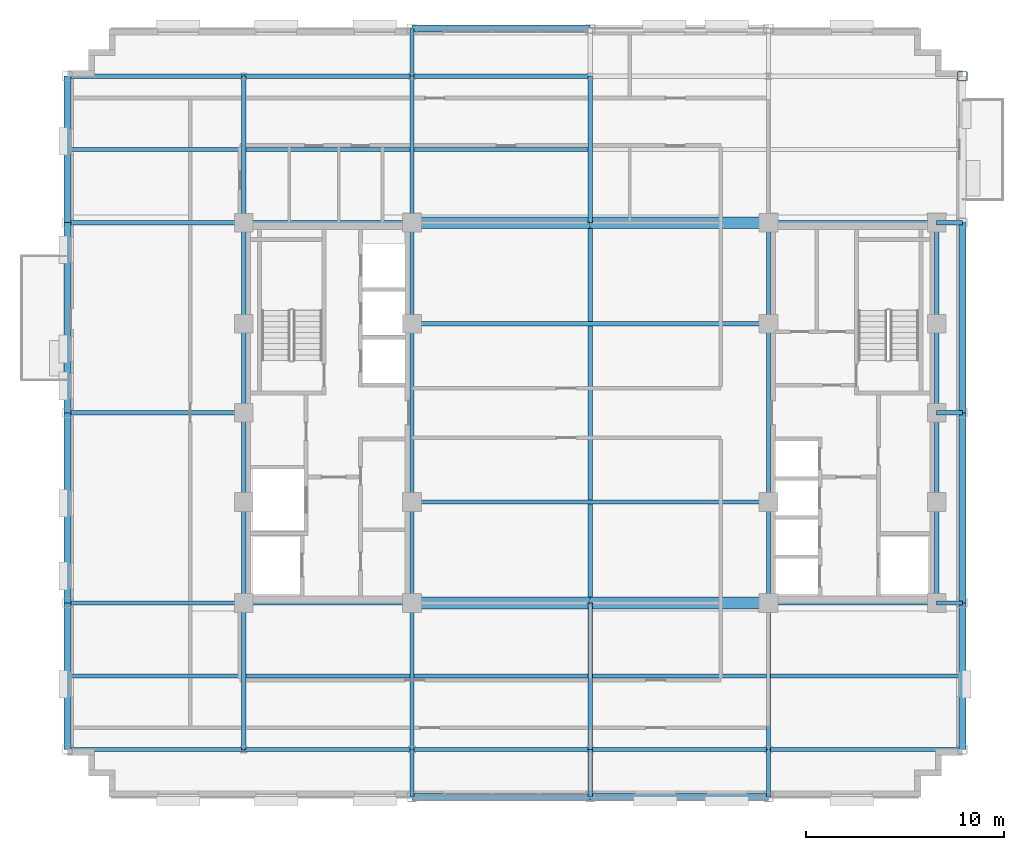
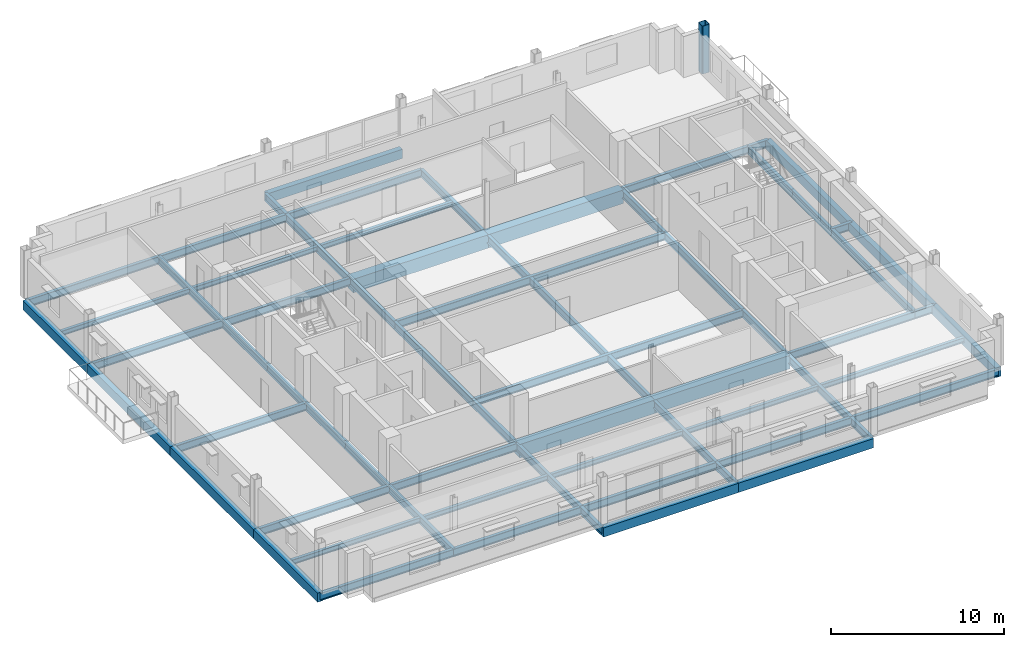
# One storey, part 4 of 15: 68 beams, 1 column.
"""IFC4 building model written with IfcOpenShell, lengths in metres."""

from ifc_helpers import new_model, si_unit, direction, frame, origin, origin_2d, place, context, subcontext, project, spatial, rectangle, hollow_rectangle, i_section, extrude, material, material_profile, profile_set, type_object, element, save


model = new_model("IFC4")

# Units and contexts
model_context = context("Model", 3, precision=1e-05, world=origin(), true_north=direction((0.0, 1.0)))
body_context = subcontext(model_context, "Body", "Model", "MODEL_VIEW")
ifc_project = project(units=[si_unit("LENGTHUNIT", "METRE"), si_unit("AREAUNIT", "SQUARE_METRE"), si_unit("VOLUMEUNIT", "CUBIC_METRE"), si_unit("PLANEANGLEUNIT", "RADIAN"), si_unit("MASSUNIT", "GRAM", prefix="KILO")], contexts=[model_context])

# Site, building, storey
site_placement = place(None, origin())
site = spatial("IfcSite", under=ifc_project, at=site_placement, CompositionType="ELEMENT")
building_placement = place(site_placement, origin())
building = spatial("IfcBuilding", under=site, at=building_placement, Name="Nuvemarco Arch Tower", CompositionType="ELEMENT")
storey_placement = place(building_placement, frame((0.0, 0.0, 223.75)))
storey = spatial("IfcBuildingStorey", under=building, at=storey_placement, Name="L59", CompositionType="ELEMENT", Elevation=223.75)

# Column
ifc_material_1 = material(Name="Steel S355", Category="steel")
ifc_material_profile_1 = material_profile(ifc_material_1, hollow_rectangle(XDim=0.5, YDim=0.5, WallThickness=0.031982421875, InnerFilletRadius=0.031982421875, OuterFilletRadius=0.06396484375, at=origin_2d()), Name="SHS500x500x32")
ifc_profile_set_1 = profile_set([ifc_material_profile_1], Name="Steel S355")
column_type = type_object("IfcColumnType", Name="COL-EXO-500", PredefinedType="COLUMN", material=ifc_profile_set_1)
column_placement = place(storey_placement, frame((18.800048828125, 17.0, 0.0), z_axis=(0.0, 0.0, 1.0), x_axis=(1.0, 0.0, 0.0)))
element("IfcColumn", 1, at=column_placement, inside=storey, type_object=column_type, Name="L59 column CX_+18.8_+17.0", PredefinedType="COLUMN", context=body_context, shape_type="SweptSolid", body=[
    extrude(hollow_rectangle(XDim=0.5, YDim=0.5, WallThickness=0.031982421875, InnerFilletRadius=0.031982421875, OuterFilletRadius=0.06396484375, at=origin_2d()), origin(), (0.0, 0.0, 1.0), 3.3701171875),
])

# Beams
ifc_material_2 = material(Name="Concrete C60/75", Category="concrete")
ifc_material_profile_2 = material_profile(ifc_material_2, rectangle(XDim=0.60009765625, YDim=0.949951171875, at=origin_2d()), Name="RC-BM-600x950")
ifc_profile_set_2 = profile_set([ifc_material_profile_2], Name="Concrete C60/75")
beam_type_1 = type_object("IfcBeamType", Name="BM-COUP-RC", PredefinedType="LINTEL", material=ifc_profile_set_2)
for number, where, z_axis, x_axis, name in (
    (2, (-9.0, -9.60009765625, -0.7548828125), (1.0, 0.0, 0.0), (0.0, 1.0, 0.0), "L59 structural beam BGEW_L59_0_-9.6_-9.0"),
    (3, (0.0, -9.60009765625, -0.7548828125), (1.0, 0.0, 0.0), (0.0, 1.0, 0.0), "L59 structural beam BGEW_L59_0_-9.6_+0.0"),
    (4, (-9.0, 9.60009765625, -0.7548828125), (1.0, 0.0, 0.0), (0.0, 1.0, 0.0), "L59 structural beam BGEW_L59_0_+9.6_-9.0"),
    (5, (0.0, 9.60009765625, -0.7548828125), (1.0, 0.0, 0.0), (0.0, 1.0, 0.0), "L59 structural beam BGEW_L59_0_+9.6_+0.0"),
):
    element("IfcBeam", number, at=place(storey_placement, frame(where, z_axis=z_axis, x_axis=x_axis)), inside=storey, type_object=beam_type_1, Name=name, PredefinedType="LINTEL", context=body_context, shape_type="SweptSolid", body=[
        extrude(rectangle(XDim=0.60009765625, YDim=0.949951171875, at=origin_2d()), origin(), (0.0, 0.0, 1.0), 9.0),
    ])
ifc_material_profile_3 = material_profile(ifc_material_1, i_section(OverallWidth=0.2109375, OverallDepth=0.5390625, WebThickness=0.01171875, FlangeThickness=0.018798828125, FilletRadius=0.01611328125, at=origin_2d()), Name="W530x109")
ifc_profile_set_3 = profile_set([ifc_material_profile_3], Name="Steel S355")
beam_type_2 = type_object("IfcBeamType", Name="BM-GIRD-530", PredefinedType="BEAM", material=ifc_profile_set_3)
beam_1_placement = place(storey_placement, frame((-17.5, -17.0, -0.549560546875), z_axis=(0.0, 1.0, 0.0), x_axis=(-1.0, 0.0, 0.0)))
element("IfcBeam", 6, at=beam_1_placement, inside=storey, type_object=beam_type_2, Name="L59 structural beam BGNS_L59_0_-17.5_-17.0", PredefinedType="BEAM", context=body_context, shape_type="SweptSolid", body=[
    extrude(i_section(OverallWidth=0.2109375, OverallDepth=0.5390625, WebThickness=0.01171875, FlangeThickness=0.018798828125, FilletRadius=0.01611328125, at=origin_2d()), origin(), (0.0, 0.0, 1.0), 7.39990234375),
])
beam_2_placement = place(storey_placement, frame((-17.5, -9.60009765625, -0.549560546875), z_axis=(0.0, 1.0, 0.0), x_axis=(-1.0, 0.0, 0.0)))
element("IfcBeam", 7, at=beam_2_placement, inside=storey, type_object=beam_type_2, Name="L59 structural beam BGNS_L59_0_-17.5_-9.6", PredefinedType="BEAM", context=body_context, shape_type="SweptSolid", body=[
    extrude(i_section(OverallWidth=0.2109375, OverallDepth=0.5390625, WebThickness=0.01171875, FlangeThickness=0.018798828125, FilletRadius=0.01611328125, at=origin_2d()), origin(), (0.0, 0.0, 1.0), 5.10009765625),
])
for number, where, z_axis, x_axis, name in (
    (8, (-17.5, -4.5, -0.549560546875), (0.0, 1.0, 0.0), (-1.0, 0.0, 0.0), "L59 structural beam BGNS_L59_0_-17.5_-4.5"),
    (9, (-17.5, 0.0, -0.549560546875), (0.0, 1.0, 0.0), (-1.0, 0.0, 0.0), "L59 structural beam BGNS_L59_0_-17.5_+0.0"),
):
    element("IfcBeam", number, at=place(storey_placement, frame(where, z_axis=z_axis, x_axis=x_axis)), inside=storey, type_object=beam_type_2, Name=name, PredefinedType="BEAM", context=body_context, shape_type="SweptSolid", body=[
        extrude(i_section(OverallWidth=0.2109375, OverallDepth=0.5390625, WebThickness=0.01171875, FlangeThickness=0.018798828125, FilletRadius=0.01611328125, at=origin_2d()), origin(), (0.0, 0.0, 1.0), 4.5),
    ])
beam_3_placement = place(storey_placement, frame((-17.5, 4.5, -0.549560546875), z_axis=(0.0, 1.0, 0.0), x_axis=(-1.0, 0.0, 0.0)))
element("IfcBeam", 10, at=beam_3_placement, inside=storey, type_object=beam_type_2, Name="L59 structural beam BGNS_L59_0_-17.5_+4.5", PredefinedType="BEAM", context=body_context, shape_type="SweptSolid", body=[
    extrude(i_section(OverallWidth=0.2109375, OverallDepth=0.5390625, WebThickness=0.01171875, FlangeThickness=0.018798828125, FilletRadius=0.01611328125, at=origin_2d()), origin(), (0.0, 0.0, 1.0), 5.10009765625),
])
beam_4_placement = place(storey_placement, frame((-17.5, 9.60009765625, -0.549560546875), z_axis=(0.0, 1.0, 0.0), x_axis=(-1.0, 0.0, 0.0)))
element("IfcBeam", 11, at=beam_4_placement, inside=storey, type_object=beam_type_2, Name="L59 structural beam BGNS_L59_0_-17.5_+9.6", PredefinedType="BEAM", context=body_context, shape_type="SweptSolid", body=[
    extrude(i_section(OverallWidth=0.2109375, OverallDepth=0.5390625, WebThickness=0.01171875, FlangeThickness=0.018798828125, FilletRadius=0.01611328125, at=origin_2d()), origin(), (0.0, 0.0, 1.0), 7.39990234375),
])
beam_5_placement = place(storey_placement, frame((-9.0, -19.39990234375, -0.549560546875), z_axis=(0.0, 1.0, 0.0), x_axis=(-1.0, 0.0, 0.0)))
element("IfcBeam", 12, at=beam_5_placement, inside=storey, type_object=beam_type_2, Name="L59 structural beam BGNS_L59_0_-9.0_-19.4", PredefinedType="BEAM", context=body_context, shape_type="SweptSolid", body=[
    extrude(i_section(OverallWidth=0.2109375, OverallDepth=0.5390625, WebThickness=0.01171875, FlangeThickness=0.018798828125, FilletRadius=0.01611328125, at=origin_2d()), origin(), (0.0, 0.0, 1.0), 2.39990234375),
])
beam_6_placement = place(storey_placement, frame((-9.0, -17.0, -0.549560546875), z_axis=(0.0, 1.0, 0.0), x_axis=(-1.0, 0.0, 0.0)))
element("IfcBeam", 13, at=beam_6_placement, inside=storey, type_object=beam_type_2, Name="L59 structural beam BGNS_L59_0_-9.0_-17.0", PredefinedType="BEAM", context=body_context, shape_type="SweptSolid", body=[
    extrude(i_section(OverallWidth=0.2109375, OverallDepth=0.5390625, WebThickness=0.01171875, FlangeThickness=0.018798828125, FilletRadius=0.01611328125, at=origin_2d()), origin(), (0.0, 0.0, 1.0), 7.39990234375),
])
beam_7_placement = place(storey_placement, frame((-9.0, -9.60009765625, -0.549560546875), z_axis=(0.0, 1.0, 0.0), x_axis=(-1.0, 0.0, 0.0)))
element("IfcBeam", 14, at=beam_7_placement, inside=storey, type_object=beam_type_2, Name="L59 structural beam BGNS_L59_0_-9.0_-9.6", PredefinedType="BEAM", context=body_context, shape_type="SweptSolid", body=[
    extrude(i_section(OverallWidth=0.2109375, OverallDepth=0.5390625, WebThickness=0.01171875, FlangeThickness=0.018798828125, FilletRadius=0.01611328125, at=origin_2d()), origin(), (0.0, 0.0, 1.0), 5.10009765625),
])
beam_8_placement = place(storey_placement, frame((-9.0, -4.5, -0.549560546875), z_axis=(0.0, 1.0, 0.0), x_axis=(-1.0, 0.0, 0.0)))
element("IfcBeam", 15, at=beam_8_placement, inside=storey, type_object=beam_type_2, Name="L59 structural beam BGNS_L59_0_-9.0_-4.5", PredefinedType="BEAM", context=body_context, shape_type="SweptSolid", body=[
    extrude(i_section(OverallWidth=0.2109375, OverallDepth=0.5390625, WebThickness=0.01171875, FlangeThickness=0.018798828125, FilletRadius=0.01611328125, at=origin_2d()), origin(), (0.0, 0.0, 1.0), 9.0),
])
beam_9_placement = place(storey_placement, frame((-9.0, 4.5, -0.549560546875), z_axis=(0.0, 1.0, 0.0), x_axis=(-1.0, 0.0, 0.0)))
element("IfcBeam", 16, at=beam_9_placement, inside=storey, type_object=beam_type_2, Name="L59 structural beam BGNS_L59_0_-9.0_+4.5", PredefinedType="BEAM", context=body_context, shape_type="SweptSolid", body=[
    extrude(i_section(OverallWidth=0.2109375, OverallDepth=0.5390625, WebThickness=0.01171875, FlangeThickness=0.018798828125, FilletRadius=0.01611328125, at=origin_2d()), origin(), (0.0, 0.0, 1.0), 5.10009765625),
])
beam_10_placement = place(storey_placement, frame((-9.0, 9.60009765625, -0.549560546875), z_axis=(0.0, 1.0, 0.0), x_axis=(-1.0, 0.0, 0.0)))
element("IfcBeam", 17, at=beam_10_placement, inside=storey, type_object=beam_type_2, Name="L59 structural beam BGNS_L59_0_-9.0_+9.6", PredefinedType="BEAM", context=body_context, shape_type="SweptSolid", body=[
    extrude(i_section(OverallWidth=0.2109375, OverallDepth=0.5390625, WebThickness=0.01171875, FlangeThickness=0.018798828125, FilletRadius=0.01611328125, at=origin_2d()), origin(), (0.0, 0.0, 1.0), 7.39990234375),
])
for number, where, z_axis, x_axis, name in (
    (18, (-9.0, 17.0, -0.549560546875), (0.0, 1.0, 0.0), (-1.0, 0.0, 0.0), "L59 structural beam BGNS_L59_0_-9.0_+17.0"),
    (19, (0.0, -19.39990234375, -0.549560546875), (0.0, 1.0, 0.0), (-1.0, 0.0, 0.0), "L59 structural beam BGNS_L59_0_+0.0_-19.4"),
):
    element("IfcBeam", number, at=place(storey_placement, frame(where, z_axis=z_axis, x_axis=x_axis)), inside=storey, type_object=beam_type_2, Name=name, PredefinedType="BEAM", context=body_context, shape_type="SweptSolid", body=[
        extrude(i_section(OverallWidth=0.2109375, OverallDepth=0.5390625, WebThickness=0.01171875, FlangeThickness=0.018798828125, FilletRadius=0.01611328125, at=origin_2d()), origin(), (0.0, 0.0, 1.0), 2.39990234375),
    ])
beam_11_placement = place(storey_placement, frame((0.0, -17.0, -0.549560546875), z_axis=(0.0, 1.0, 0.0), x_axis=(-1.0, 0.0, 0.0)))
element("IfcBeam", 20, at=beam_11_placement, inside=storey, type_object=beam_type_2, Name="L59 structural beam BGNS_L59_0_+0.0_-17.0", PredefinedType="BEAM", context=body_context, shape_type="SweptSolid", body=[
    extrude(i_section(OverallWidth=0.2109375, OverallDepth=0.5390625, WebThickness=0.01171875, FlangeThickness=0.018798828125, FilletRadius=0.01611328125, at=origin_2d()), origin(), (0.0, 0.0, 1.0), 7.39990234375),
])
beam_12_placement = place(storey_placement, frame((0.0, -9.60009765625, -0.549560546875), z_axis=(0.0, 1.0, 0.0), x_axis=(-1.0, 0.0, 0.0)))
element("IfcBeam", 21, at=beam_12_placement, inside=storey, type_object=beam_type_2, Name="L59 structural beam BGNS_L59_0_+0.0_-9.6", PredefinedType="BEAM", context=body_context, shape_type="SweptSolid", body=[
    extrude(i_section(OverallWidth=0.2109375, OverallDepth=0.5390625, WebThickness=0.01171875, FlangeThickness=0.018798828125, FilletRadius=0.01611328125, at=origin_2d()), origin(), (0.0, 0.0, 1.0), 19.2001953125),
])
beam_13_placement = place(storey_placement, frame((0.0, 9.60009765625, -0.549560546875), z_axis=(0.0, 1.0, 0.0), x_axis=(-1.0, 0.0, 0.0)))
element("IfcBeam", 22, at=beam_13_placement, inside=storey, type_object=beam_type_2, Name="L59 structural beam BGNS_L59_0_+0.0_+9.6", PredefinedType="BEAM", context=body_context, shape_type="SweptSolid", body=[
    extrude(i_section(OverallWidth=0.2109375, OverallDepth=0.5390625, WebThickness=0.01171875, FlangeThickness=0.018798828125, FilletRadius=0.01611328125, at=origin_2d()), origin(), (0.0, 0.0, 1.0), 7.39990234375),
])
beam_14_placement = place(storey_placement, frame((9.0, -19.39990234375, -0.549560546875), z_axis=(0.0, 1.0, 0.0), x_axis=(-1.0, 0.0, 0.0)))
element("IfcBeam", 23, at=beam_14_placement, inside=storey, type_object=beam_type_2, Name="L59 structural beam BGNS_L59_0_+9.0_-19.4", PredefinedType="BEAM", context=body_context, shape_type="SweptSolid", body=[
    extrude(i_section(OverallWidth=0.2109375, OverallDepth=0.5390625, WebThickness=0.01171875, FlangeThickness=0.018798828125, FilletRadius=0.01611328125, at=origin_2d()), origin(), (0.0, 0.0, 1.0), 2.39990234375),
])
beam_15_placement = place(storey_placement, frame((9.0, -17.0, -0.549560546875), z_axis=(0.0, 1.0, 0.0), x_axis=(-1.0, 0.0, 0.0)))
element("IfcBeam", 24, at=beam_15_placement, inside=storey, type_object=beam_type_2, Name="L59 structural beam BGNS_L59_0_+9.0_-17.0", PredefinedType="BEAM", context=body_context, shape_type="SweptSolid", body=[
    extrude(i_section(OverallWidth=0.2109375, OverallDepth=0.5390625, WebThickness=0.01171875, FlangeThickness=0.018798828125, FilletRadius=0.01611328125, at=origin_2d()), origin(), (0.0, 0.0, 1.0), 7.39990234375),
])
beam_16_placement = place(storey_placement, frame((9.0, -9.60009765625, -0.549560546875), z_axis=(0.0, 1.0, 0.0), x_axis=(-1.0, 0.0, 0.0)))
element("IfcBeam", 25, at=beam_16_placement, inside=storey, type_object=beam_type_2, Name="L59 structural beam BGNS_L59_0_+9.0_-9.6", PredefinedType="BEAM", context=body_context, shape_type="SweptSolid", body=[
    extrude(i_section(OverallWidth=0.2109375, OverallDepth=0.5390625, WebThickness=0.01171875, FlangeThickness=0.018798828125, FilletRadius=0.01611328125, at=origin_2d()), origin(), (0.0, 0.0, 1.0), 5.10009765625),
])
beam_17_placement = place(storey_placement, frame((9.0, -4.5, -0.549560546875), z_axis=(0.0, 1.0, 0.0), x_axis=(-1.0, 0.0, 0.0)))
element("IfcBeam", 26, at=beam_17_placement, inside=storey, type_object=beam_type_2, Name="L59 structural beam BGNS_L59_0_+9.0_-4.5", PredefinedType="BEAM", context=body_context, shape_type="SweptSolid", body=[
    extrude(i_section(OverallWidth=0.2109375, OverallDepth=0.5390625, WebThickness=0.01171875, FlangeThickness=0.018798828125, FilletRadius=0.01611328125, at=origin_2d()), origin(), (0.0, 0.0, 1.0), 9.0),
])
for number, where, z_axis, x_axis, name in (
    (27, (9.0, 4.5, -0.549560546875), (0.0, 1.0, 0.0), (-1.0, 0.0, 0.0), "L59 structural beam BGNS_L59_0_+9.0_+4.5"),
    (28, (17.5, -9.60009765625, -0.549560546875), (0.0, 1.0, 0.0), (-1.0, 0.0, 0.0), "L59 structural beam BGNS_L59_0_+17.5_-9.6"),
):
    element("IfcBeam", number, at=place(storey_placement, frame(where, z_axis=z_axis, x_axis=x_axis)), inside=storey, type_object=beam_type_2, Name=name, PredefinedType="BEAM", context=body_context, shape_type="SweptSolid", body=[
        extrude(i_section(OverallWidth=0.2109375, OverallDepth=0.5390625, WebThickness=0.01171875, FlangeThickness=0.018798828125, FilletRadius=0.01611328125, at=origin_2d()), origin(), (0.0, 0.0, 1.0), 5.10009765625),
    ])
for number, where, z_axis, x_axis, name in (
    (29, (17.5, -4.5, -0.549560546875), (0.0, 1.0, 0.0), (-1.0, 0.0, 0.0), "L59 structural beam BGNS_L59_0_+17.5_-4.5"),
    (30, (17.5, 0.0, -0.549560546875), (0.0, 1.0, 0.0), (-1.0, 0.0, 0.0), "L59 structural beam BGNS_L59_0_+17.5_+0.0"),
):
    element("IfcBeam", number, at=place(storey_placement, frame(where, z_axis=z_axis, x_axis=x_axis)), inside=storey, type_object=beam_type_2, Name=name, PredefinedType="BEAM", context=body_context, shape_type="SweptSolid", body=[
        extrude(i_section(OverallWidth=0.2109375, OverallDepth=0.5390625, WebThickness=0.01171875, FlangeThickness=0.018798828125, FilletRadius=0.01611328125, at=origin_2d()), origin(), (0.0, 0.0, 1.0), 4.5),
    ])
beam_18_placement = place(storey_placement, frame((17.5, 4.5, -0.549560546875), z_axis=(0.0, 1.0, 0.0), x_axis=(-1.0, 0.0, 0.0)))
element("IfcBeam", 31, at=beam_18_placement, inside=storey, type_object=beam_type_2, Name="L59 structural beam BGNS_L59_0_+17.5_+4.5", PredefinedType="BEAM", context=body_context, shape_type="SweptSolid", body=[
    extrude(i_section(OverallWidth=0.2109375, OverallDepth=0.5390625, WebThickness=0.01171875, FlangeThickness=0.018798828125, FilletRadius=0.01611328125, at=origin_2d()), origin(), (0.0, 0.0, 1.0), 5.10009765625),
])
beam_19_placement = place(storey_placement, frame((-26.39990234375, -17.0, -0.549560546875), z_axis=(1.0, 0.0, 0.0), x_axis=(0.0, 1.0, 0.0)))
element("IfcBeam", 32, at=beam_19_placement, inside=storey, type_object=beam_type_2, Name="L59 structural beam BGEW_L59_0_-17.0_-26.4", PredefinedType="BEAM", context=body_context, shape_type="SweptSolid", body=[
    extrude(i_section(OverallWidth=0.2109375, OverallDepth=0.5390625, WebThickness=0.01171875, FlangeThickness=0.018798828125, FilletRadius=0.01611328125, at=origin_2d()), origin(), (0.0, 0.0, 1.0), 8.89990234375),
])
beam_20_placement = place(storey_placement, frame((-17.5, -17.0, -0.549560546875), z_axis=(1.0, 0.0, 0.0), x_axis=(0.0, 1.0, 0.0)))
element("IfcBeam", 33, at=beam_20_placement, inside=storey, type_object=beam_type_2, Name="L59 structural beam BGEW_L59_0_-17.0_-17.5", PredefinedType="BEAM", context=body_context, shape_type="SweptSolid", body=[
    extrude(i_section(OverallWidth=0.2109375, OverallDepth=0.5390625, WebThickness=0.01171875, FlangeThickness=0.018798828125, FilletRadius=0.01611328125, at=origin_2d()), origin(), (0.0, 0.0, 1.0), 8.5),
])
for number, where, z_axis, x_axis, name in (
    (34, (-9.0, -17.0, -0.549560546875), (1.0, 0.0, 0.0), (0.0, 1.0, 0.0), "L59 structural beam BGEW_L59_0_-17.0_-9.0"),
    (35, (0.0, -17.0, -0.549560546875), (1.0, 0.0, 0.0), (0.0, 1.0, 0.0), "L59 structural beam BGEW_L59_0_-17.0_+0.0"),
):
    element("IfcBeam", number, at=place(storey_placement, frame(where, z_axis=z_axis, x_axis=x_axis)), inside=storey, type_object=beam_type_2, Name=name, PredefinedType="BEAM", context=body_context, shape_type="SweptSolid", body=[
        extrude(i_section(OverallWidth=0.2109375, OverallDepth=0.5390625, WebThickness=0.01171875, FlangeThickness=0.018798828125, FilletRadius=0.01611328125, at=origin_2d()), origin(), (0.0, 0.0, 1.0), 9.0),
    ])
beam_21_placement = place(storey_placement, frame((9.0, -17.0, -0.549560546875), z_axis=(1.0, 0.0, 0.0), x_axis=(0.0, 1.0, 0.0)))
element("IfcBeam", 36, at=beam_21_placement, inside=storey, type_object=beam_type_2, Name="L59 structural beam BGEW_L59_0_-17.0_+9.0", PredefinedType="BEAM", context=body_context, shape_type="SweptSolid", body=[
    extrude(i_section(OverallWidth=0.2109375, OverallDepth=0.5390625, WebThickness=0.01171875, FlangeThickness=0.018798828125, FilletRadius=0.01611328125, at=origin_2d()), origin(), (0.0, 0.0, 1.0), 9.800048828125),
])
beam_22_placement = place(storey_placement, frame((-26.39990234375, -9.60009765625, -0.549560546875), z_axis=(1.0, 0.0, 0.0), x_axis=(0.0, 1.0, 0.0)))
element("IfcBeam", 37, at=beam_22_placement, inside=storey, type_object=beam_type_2, Name="L59 structural beam BGEW_L59_0_-9.6_-26.4", PredefinedType="BEAM", context=body_context, shape_type="SweptSolid", body=[
    extrude(i_section(OverallWidth=0.2109375, OverallDepth=0.5390625, WebThickness=0.01171875, FlangeThickness=0.018798828125, FilletRadius=0.01611328125, at=origin_2d()), origin(), (0.0, 0.0, 1.0), 8.89990234375),
])
for number, where, z_axis, x_axis, name in (
    (38, (-17.5, -9.60009765625, -0.549560546875), (1.0, 0.0, 0.0), (0.0, 1.0, 0.0), "L59 structural beam BGEW_L59_0_-9.6_-17.5"),
    (39, (9.0, -9.60009765625, -0.549560546875), (1.0, 0.0, 0.0), (0.0, 1.0, 0.0), "L59 structural beam BGEW_L59_0_-9.6_+9.0"),
):
    element("IfcBeam", number, at=place(storey_placement, frame(where, z_axis=z_axis, x_axis=x_axis)), inside=storey, type_object=beam_type_2, Name=name, PredefinedType="BEAM", context=body_context, shape_type="SweptSolid", body=[
        extrude(i_section(OverallWidth=0.2109375, OverallDepth=0.5390625, WebThickness=0.01171875, FlangeThickness=0.018798828125, FilletRadius=0.01611328125, at=origin_2d()), origin(), (0.0, 0.0, 1.0), 8.5),
    ])
beam_23_placement = place(storey_placement, frame((17.5, -9.60009765625, -0.549560546875), z_axis=(1.0, 0.0, 0.0), x_axis=(0.0, 1.0, 0.0)))
element("IfcBeam", 40, at=beam_23_placement, inside=storey, type_object=beam_type_2, Name="L59 structural beam BGEW_L59_0_-9.6_+17.5", PredefinedType="BEAM", context=body_context, shape_type="SweptSolid", body=[
    extrude(i_section(OverallWidth=0.2109375, OverallDepth=0.5390625, WebThickness=0.01171875, FlangeThickness=0.018798828125, FilletRadius=0.01611328125, at=origin_2d()), origin(), (0.0, 0.0, 1.0), 1.300048828125),
])
beam_24_placement = place(storey_placement, frame((-9.0, -4.5, -0.549560546875), z_axis=(1.0, 0.0, 0.0), x_axis=(0.0, 1.0, 0.0)))
element("IfcBeam", 41, at=beam_24_placement, inside=storey, type_object=beam_type_2, Name="L59 structural beam BGEW_L59_0_-4.5_-9.0", PredefinedType="BEAM", context=body_context, shape_type="SweptSolid", body=[
    extrude(i_section(OverallWidth=0.2109375, OverallDepth=0.5390625, WebThickness=0.01171875, FlangeThickness=0.018798828125, FilletRadius=0.01611328125, at=origin_2d()), origin(), (0.0, 0.0, 1.0), 18.0),
])
beam_25_placement = place(storey_placement, frame((-26.39990234375, 0.0, -0.549560546875), z_axis=(1.0, 0.0, 0.0), x_axis=(0.0, 1.0, 0.0)))
element("IfcBeam", 42, at=beam_25_placement, inside=storey, type_object=beam_type_2, Name="L59 structural beam BGEW_L59_0_+0.0_-26.4", PredefinedType="BEAM", context=body_context, shape_type="SweptSolid", body=[
    extrude(i_section(OverallWidth=0.2109375, OverallDepth=0.5390625, WebThickness=0.01171875, FlangeThickness=0.018798828125, FilletRadius=0.01611328125, at=origin_2d()), origin(), (0.0, 0.0, 1.0), 8.89990234375),
])
beam_26_placement = place(storey_placement, frame((17.5, 0.0, -0.549560546875), z_axis=(1.0, 0.0, 0.0), x_axis=(0.0, 1.0, 0.0)))
element("IfcBeam", 43, at=beam_26_placement, inside=storey, type_object=beam_type_2, Name="L59 structural beam BGEW_L59_0_+0.0_+17.5", PredefinedType="BEAM", context=body_context, shape_type="SweptSolid", body=[
    extrude(i_section(OverallWidth=0.2109375, OverallDepth=0.5390625, WebThickness=0.01171875, FlangeThickness=0.018798828125, FilletRadius=0.01611328125, at=origin_2d()), origin(), (0.0, 0.0, 1.0), 1.300048828125),
])
beam_27_placement = place(storey_placement, frame((-9.0, 4.5, -0.549560546875), z_axis=(1.0, 0.0, 0.0), x_axis=(0.0, 1.0, 0.0)))
element("IfcBeam", 44, at=beam_27_placement, inside=storey, type_object=beam_type_2, Name="L59 structural beam BGEW_L59_0_+4.5_-9.0", PredefinedType="BEAM", context=body_context, shape_type="SweptSolid", body=[
    extrude(i_section(OverallWidth=0.2109375, OverallDepth=0.5390625, WebThickness=0.01171875, FlangeThickness=0.018798828125, FilletRadius=0.01611328125, at=origin_2d()), origin(), (0.0, 0.0, 1.0), 18.0),
])
beam_28_placement = place(storey_placement, frame((-26.39990234375, 9.60009765625, -0.549560546875), z_axis=(1.0, 0.0, 0.0), x_axis=(0.0, 1.0, 0.0)))
element("IfcBeam", 45, at=beam_28_placement, inside=storey, type_object=beam_type_2, Name="L59 structural beam BGEW_L59_0_+9.6_-26.4", PredefinedType="BEAM", context=body_context, shape_type="SweptSolid", body=[
    extrude(i_section(OverallWidth=0.2109375, OverallDepth=0.5390625, WebThickness=0.01171875, FlangeThickness=0.018798828125, FilletRadius=0.01611328125, at=origin_2d()), origin(), (0.0, 0.0, 1.0), 8.89990234375),
])
for number, where, z_axis, x_axis, name in (
    (46, (-17.5, 9.60009765625, -0.549560546875), (1.0, 0.0, 0.0), (0.0, 1.0, 0.0), "L59 structural beam BGEW_L59_0_+9.6_-17.5"),
    (47, (9.0, 9.60009765625, -0.549560546875), (1.0, 0.0, 0.0), (0.0, 1.0, 0.0), "L59 structural beam BGEW_L59_0_+9.6_+9.0"),
):
    element("IfcBeam", number, at=place(storey_placement, frame(where, z_axis=z_axis, x_axis=x_axis)), inside=storey, type_object=beam_type_2, Name=name, PredefinedType="BEAM", context=body_context, shape_type="SweptSolid", body=[
        extrude(i_section(OverallWidth=0.2109375, OverallDepth=0.5390625, WebThickness=0.01171875, FlangeThickness=0.018798828125, FilletRadius=0.01611328125, at=origin_2d()), origin(), (0.0, 0.0, 1.0), 8.5),
    ])
beam_29_placement = place(storey_placement, frame((17.5, 9.60009765625, -0.549560546875), z_axis=(1.0, 0.0, 0.0), x_axis=(0.0, 1.0, 0.0)))
element("IfcBeam", 48, at=beam_29_placement, inside=storey, type_object=beam_type_2, Name="L59 structural beam BGEW_L59_0_+9.6_+17.5", PredefinedType="BEAM", context=body_context, shape_type="SweptSolid", body=[
    extrude(i_section(OverallWidth=0.2109375, OverallDepth=0.5390625, WebThickness=0.01171875, FlangeThickness=0.018798828125, FilletRadius=0.01611328125, at=origin_2d()), origin(), (0.0, 0.0, 1.0), 1.300048828125),
])
beam_30_placement = place(storey_placement, frame((-26.39990234375, 17.0, -0.549560546875), z_axis=(1.0, 0.0, 0.0), x_axis=(0.0, 1.0, 0.0)))
element("IfcBeam", 49, at=beam_30_placement, inside=storey, type_object=beam_type_2, Name="L59 structural beam BGEW_L59_0_+17.0_-26.4", PredefinedType="BEAM", context=body_context, shape_type="SweptSolid", body=[
    extrude(i_section(OverallWidth=0.2109375, OverallDepth=0.5390625, WebThickness=0.01171875, FlangeThickness=0.018798828125, FilletRadius=0.01611328125, at=origin_2d()), origin(), (0.0, 0.0, 1.0), 8.89990234375),
])
beam_31_placement = place(storey_placement, frame((-17.5, 17.0, -0.549560546875), z_axis=(1.0, 0.0, 0.0), x_axis=(0.0, 1.0, 0.0)))
element("IfcBeam", 50, at=beam_31_placement, inside=storey, type_object=beam_type_2, Name="L59 structural beam BGEW_L59_0_+17.0_-17.5", PredefinedType="BEAM", context=body_context, shape_type="SweptSolid", body=[
    extrude(i_section(OverallWidth=0.2109375, OverallDepth=0.5390625, WebThickness=0.01171875, FlangeThickness=0.018798828125, FilletRadius=0.01611328125, at=origin_2d()), origin(), (0.0, 0.0, 1.0), 8.5),
])
beam_32_placement = place(storey_placement, frame((-9.0, 17.0, -0.549560546875), z_axis=(1.0, 0.0, 0.0), x_axis=(0.0, 1.0, 0.0)))
element("IfcBeam", 51, at=beam_32_placement, inside=storey, type_object=beam_type_2, Name="L59 structural beam BGEW_L59_0_+17.0_-9.0", PredefinedType="BEAM", context=body_context, shape_type="SweptSolid", body=[
    extrude(i_section(OverallWidth=0.2109375, OverallDepth=0.5390625, WebThickness=0.01171875, FlangeThickness=0.018798828125, FilletRadius=0.01611328125, at=origin_2d()), origin(), (0.0, 0.0, 1.0), 9.0),
])
ifc_material_profile_4 = material_profile(ifc_material_1, i_section(OverallWidth=0.202880859375, OverallDepth=0.346923828125, WebThickness=0.0078125, FlangeThickness=0.013427734375, FilletRadius=0.014892578125, at=origin_2d()), Name="W360x64")
ifc_profile_set_4 = profile_set([ifc_material_profile_4], Name="Steel S355")
beam_type_3 = type_object("IfcBeamType", Name="BM-JOIST-360", PredefinedType="JOIST", material=ifc_profile_set_4)
beam_33_placement = place(storey_placement, frame((-26.22509765625, -13.300048828125, -0.45361328125), z_axis=(1.0, 0.0, 0.0), x_axis=(0.0, 1.0, 0.0)))
element("IfcBeam", 52, at=beam_33_placement, inside=storey, type_object=beam_type_3, Name="L59 structural beam BJ_L59_0_-13.3_-26.4", PredefinedType="JOIST", context=body_context, shape_type="SweptSolid", body=[
    extrude(i_section(OverallWidth=0.202880859375, OverallDepth=0.346923828125, WebThickness=0.0078125, FlangeThickness=0.013427734375, FilletRadius=0.014892578125, at=origin_2d()), origin(), (0.0, 0.0, 1.0), 8.61962890625),
])
beam_34_placement = place(storey_placement, frame((-17.39453125, -13.300048828125, -0.45361328125), z_axis=(1.0, 0.0, 0.0), x_axis=(0.0, 1.0, 0.0)))
element("IfcBeam", 53, at=beam_34_placement, inside=storey, type_object=beam_type_3, Name="L59 structural beam BJ_L59_0_-13.3_-17.5", PredefinedType="JOIST", context=body_context, shape_type="SweptSolid", body=[
    extrude(i_section(OverallWidth=0.202880859375, OverallDepth=0.346923828125, WebThickness=0.0078125, FlangeThickness=0.013427734375, FilletRadius=0.014892578125, at=origin_2d()), origin(), (0.0, 0.0, 1.0), 8.2890625),
])
for number, where, z_axis, x_axis, name in (
    (54, (-8.89453125, -13.300048828125, -0.45361328125), (1.0, 0.0, 0.0), (0.0, 1.0, 0.0), "L59 structural beam BJ_L59_0_-13.3_-9.0"),
    (55, (0.10546875, -13.300048828125, -0.45361328125), (1.0, 0.0, 0.0), (0.0, 1.0, 0.0), "L59 structural beam BJ_L59_0_-13.3_+0.0"),
):
    element("IfcBeam", number, at=place(storey_placement, frame(where, z_axis=z_axis, x_axis=x_axis)), inside=storey, type_object=beam_type_3, Name=name, PredefinedType="JOIST", context=body_context, shape_type="SweptSolid", body=[
        extrude(i_section(OverallWidth=0.202880859375, OverallDepth=0.346923828125, WebThickness=0.0078125, FlangeThickness=0.013427734375, FilletRadius=0.014892578125, at=origin_2d()), origin(), (0.0, 0.0, 1.0), 8.7890625),
    ])
beam_35_placement = place(storey_placement, frame((9.10546875, -13.300048828125, -0.45361328125), z_axis=(1.0, 0.0, 0.0), x_axis=(0.0, 1.0, 0.0)))
element("IfcBeam", 56, at=beam_35_placement, inside=storey, type_object=beam_type_3, Name="L59 structural beam BJ_L59_0_-13.3_+9.0", PredefinedType="JOIST", context=body_context, shape_type="SweptSolid", body=[
    extrude(i_section(OverallWidth=0.202880859375, OverallDepth=0.346923828125, WebThickness=0.0078125, FlangeThickness=0.013427734375, FilletRadius=0.014892578125, at=origin_2d()), origin(), (0.0, 0.0, 1.0), 9.51953125),
])
beam_36_placement = place(storey_placement, frame((-26.22509765625, 13.300048828125, -0.45361328125), z_axis=(1.0, 0.0, 0.0), x_axis=(0.0, 1.0, 0.0)))
element("IfcBeam", 57, at=beam_36_placement, inside=storey, type_object=beam_type_3, Name="L59 structural beam BJ_L59_0_+13.3_-26.4", PredefinedType="JOIST", context=body_context, shape_type="SweptSolid", body=[
    extrude(i_section(OverallWidth=0.202880859375, OverallDepth=0.346923828125, WebThickness=0.0078125, FlangeThickness=0.013427734375, FilletRadius=0.014892578125, at=origin_2d()), origin(), (0.0, 0.0, 1.0), 8.61962890625),
])
beam_37_placement = place(storey_placement, frame((-17.39453125, 13.300048828125, -0.45361328125), z_axis=(1.0, 0.0, 0.0), x_axis=(0.0, 1.0, 0.0)))
element("IfcBeam", 58, at=beam_37_placement, inside=storey, type_object=beam_type_3, Name="L59 structural beam BJ_L59_0_+13.3_-17.5", PredefinedType="JOIST", context=body_context, shape_type="SweptSolid", body=[
    extrude(i_section(OverallWidth=0.202880859375, OverallDepth=0.346923828125, WebThickness=0.0078125, FlangeThickness=0.013427734375, FilletRadius=0.014892578125, at=origin_2d()), origin(), (0.0, 0.0, 1.0), 8.2890625),
])
beam_38_placement = place(storey_placement, frame((-8.89453125, 13.300048828125, -0.45361328125), z_axis=(1.0, 0.0, 0.0), x_axis=(0.0, 1.0, 0.0)))
element("IfcBeam", 59, at=beam_38_placement, inside=storey, type_object=beam_type_3, Name="L59 structural beam BJ_L59_0_+13.3_-9.0", PredefinedType="JOIST", context=body_context, shape_type="SweptSolid", body=[
    extrude(i_section(OverallWidth=0.202880859375, OverallDepth=0.346923828125, WebThickness=0.0078125, FlangeThickness=0.013427734375, FilletRadius=0.014892578125, at=origin_2d()), origin(), (0.0, 0.0, 1.0), 8.7890625),
])
ifc_material_3 = material(Name="Precast concrete C45/55", Category="concrete")
ifc_material_profile_5 = material_profile(ifc_material_3, rectangle(XDim=0.35009765625, YDim=0.64990234375, at=origin_2d()), Name="PC-SP-350x650")
ifc_profile_set_5 = profile_set([ifc_material_profile_5], Name="Precast concrete C45/55")
beam_type_4 = type_object("IfcBeamType", Name="BM-SPAN-RC", PredefinedType="SPANDREL", material=ifc_profile_set_5)
beam_39_placement = place(storey_placement, frame((-26.39990234375, -17.0, -0.60498046875), z_axis=(0.0, 1.0, 0.0), x_axis=(-1.0, 0.0, 0.0)))
element("IfcBeam", 60, at=beam_39_placement, inside=storey, type_object=beam_type_4, Name="L59 structural beam BGNS_L59_0_-26.4_-17.0", PredefinedType="SPANDREL", context=body_context, shape_type="SweptSolid", body=[
    extrude(rectangle(XDim=0.35009765625, YDim=0.64990234375, at=origin_2d()), origin(), (0.0, 0.0, 1.0), 7.39990234375),
])
for number, where, z_axis, x_axis, name in (
    (61, (-26.39990234375, -9.60009765625, -0.60498046875), (0.0, 1.0, 0.0), (-1.0, 0.0, 0.0), "L59 structural beam BGNS_L59_0_-26.4_-9.6"),
    (62, (-26.39990234375, 0.0, -0.60498046875), (0.0, 1.0, 0.0), (-1.0, 0.0, 0.0), "L59 structural beam BGNS_L59_0_-26.4_+0.0"),
):
    element("IfcBeam", number, at=place(storey_placement, frame(where, z_axis=z_axis, x_axis=x_axis)), inside=storey, type_object=beam_type_4, Name=name, PredefinedType="SPANDREL", context=body_context, shape_type="SweptSolid", body=[
        extrude(rectangle(XDim=0.35009765625, YDim=0.64990234375, at=origin_2d()), origin(), (0.0, 0.0, 1.0), 9.60009765625),
    ])
for number, where, z_axis, x_axis, name in (
    (63, (-26.39990234375, 9.60009765625, -0.60498046875), (0.0, 1.0, 0.0), (-1.0, 0.0, 0.0), "L59 structural beam BGNS_L59_0_-26.4_+9.6"),
    (64, (18.800048828125, -17.0, -0.60498046875), (0.0, 1.0, 0.0), (-1.0, 0.0, 0.0), "L59 structural beam BGNS_L59_0_+18.8_-17.0"),
):
    element("IfcBeam", number, at=place(storey_placement, frame(where, z_axis=z_axis, x_axis=x_axis)), inside=storey, type_object=beam_type_4, Name=name, PredefinedType="SPANDREL", context=body_context, shape_type="SweptSolid", body=[
        extrude(rectangle(XDim=0.35009765625, YDim=0.64990234375, at=origin_2d()), origin(), (0.0, 0.0, 1.0), 7.39990234375),
    ])
for number, where, z_axis, x_axis, name in (
    (65, (18.800048828125, -9.60009765625, -0.60498046875), (0.0, 1.0, 0.0), (-1.0, 0.0, 0.0), "L59 structural beam BGNS_L59_0_+18.8_-9.6"),
    (66, (18.800048828125, 0.0, -0.60498046875), (0.0, 1.0, 0.0), (-1.0, 0.0, 0.0), "L59 structural beam BGNS_L59_0_+18.8_+0.0"),
):
    element("IfcBeam", number, at=place(storey_placement, frame(where, z_axis=z_axis, x_axis=x_axis)), inside=storey, type_object=beam_type_4, Name=name, PredefinedType="SPANDREL", context=body_context, shape_type="SweptSolid", body=[
        extrude(rectangle(XDim=0.35009765625, YDim=0.64990234375, at=origin_2d()), origin(), (0.0, 0.0, 1.0), 9.60009765625),
    ])
for number, where, z_axis, x_axis, name in (
    (67, (-9.0, -19.39990234375, -0.60498046875), (1.0, 0.0, 0.0), (0.0, 1.0, 0.0), "L59 structural beam BGEW_L59_0_-19.4_-9.0"),
    (68, (0.0, -19.39990234375, -0.60498046875), (1.0, 0.0, 0.0), (0.0, 1.0, 0.0), "L59 structural beam BGEW_L59_0_-19.4_+0.0"),
    (69, (-9.0, 19.39990234375, -0.60498046875), (1.0, 0.0, 0.0), (0.0, 1.0, 0.0), "L59 structural beam BGEW_L59_0_+19.4_-9.0"),
):
    element("IfcBeam", number, at=place(storey_placement, frame(where, z_axis=z_axis, x_axis=x_axis)), inside=storey, type_object=beam_type_4, Name=name, PredefinedType="SPANDREL", context=body_context, shape_type="SweptSolid", body=[
        extrude(rectangle(XDim=0.35009765625, YDim=0.64990234375, at=origin_2d()), origin(), (0.0, 0.0, 1.0), 9.0),
    ])

save(model, "model.ifc")
